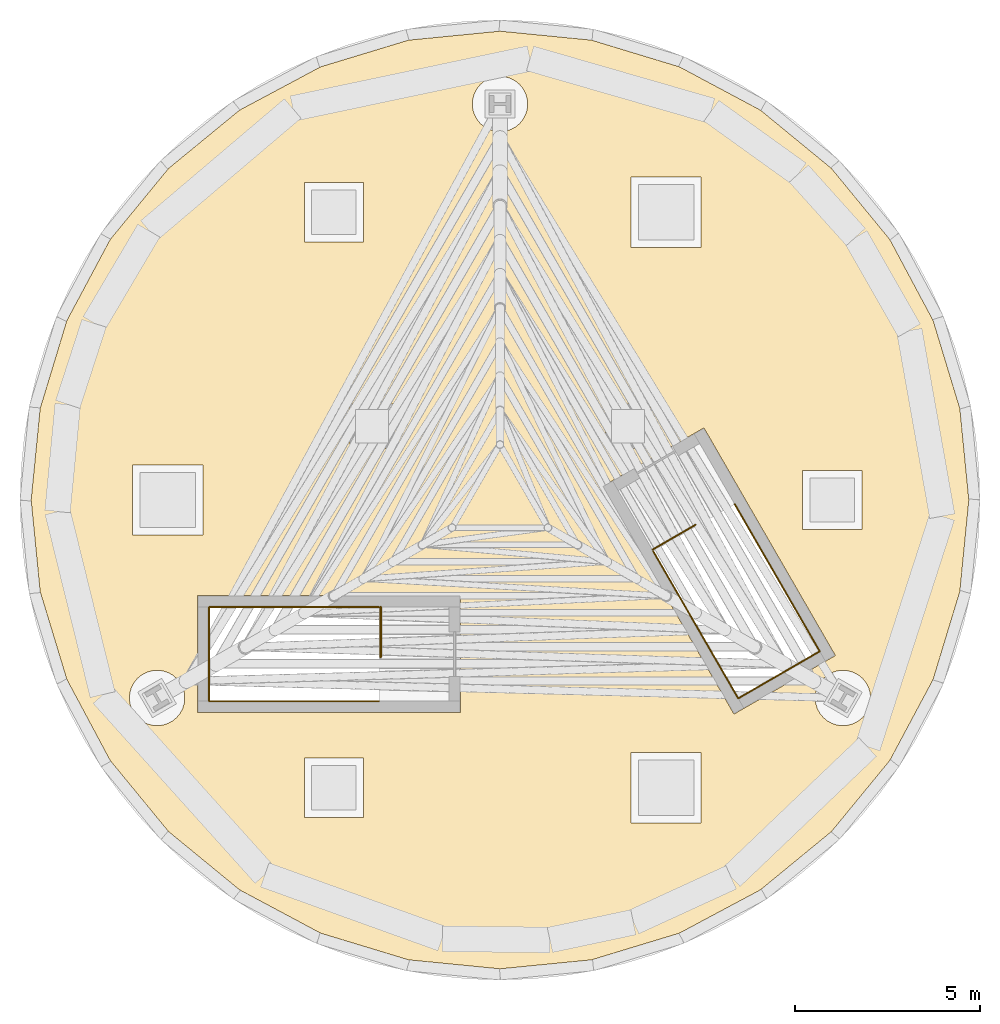
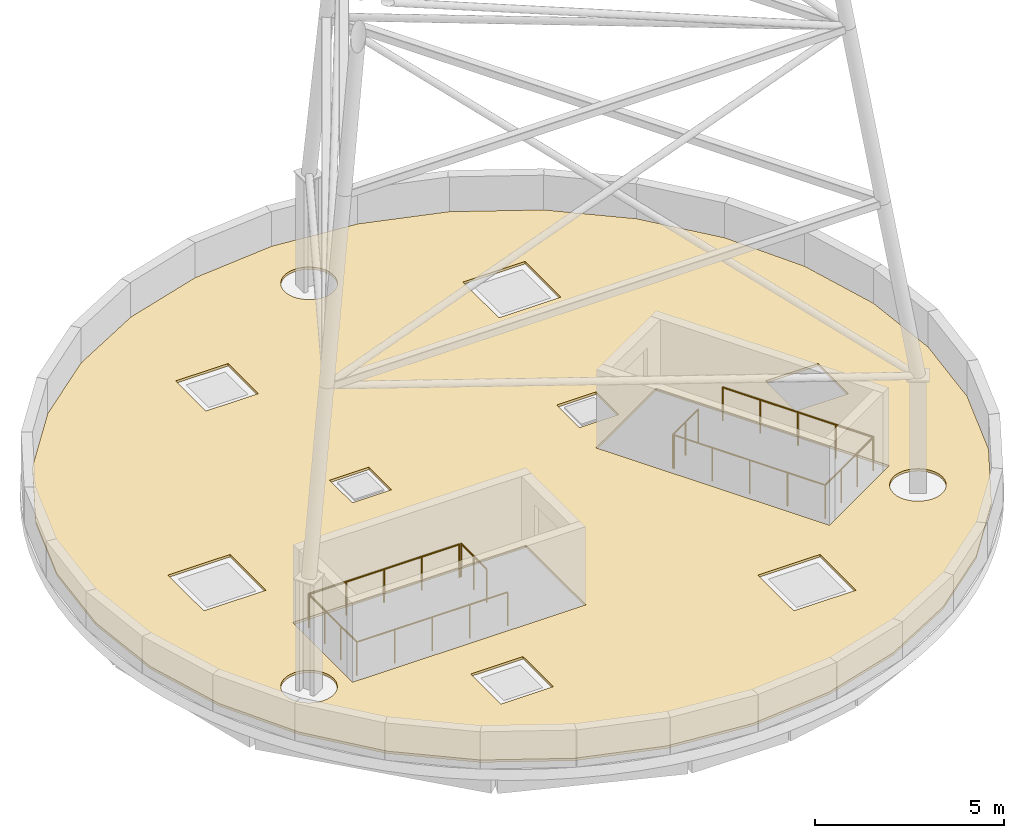
# One storey, part 4 of 4: 4 railings, 1 covering.
"""IFC4 building model written with IfcOpenShell, lengths in metres."""

from ifc_helpers import new_model, si_unit, direction, frame, origin, origin_2d, place, context, subcontext, project, spatial, polyline, circle, outline, extrude, material, layer, layer_set, type_object, element, save


model = new_model("IFC4")

# Units and contexts
model_context = context("Model", 3, precision=1e-05, world=origin(), true_north=direction((0.0, 1.0)))
body_context = subcontext(model_context, "Body", "Model", "MODEL_VIEW")
ifc_project = project(units=[si_unit("LENGTHUNIT", "METRE"), si_unit("AREAUNIT", "SQUARE_METRE"), si_unit("VOLUMEUNIT", "CUBIC_METRE"), si_unit("PLANEANGLEUNIT", "RADIAN"), si_unit("MASSUNIT", "GRAM", prefix="KILO")], contexts=[model_context])

# Site, building, storey
site_placement = place(None, origin())
site = spatial("IfcSite", under=ifc_project, at=site_placement, CompositionType="ELEMENT")
building_placement = place(site_placement, origin())
building = spatial("IfcBuilding", under=site, at=building_placement, Name="Tramontana Tower", CompositionType="ELEMENT")
storey_placement = place(building_placement, frame((0.0, 0.0, 392.89990234375)))
storey = spatial("IfcBuildingStorey", under=building, at=storey_placement, Name="RF", CompositionType="ELEMENT", Elevation=392.89990234375)

# Covering
ifc_material_1 = material(Name="Single-ply roof membrane")
ifc_layer = layer(ifc_material_1, 0.080078125)
ifc_layer_set = layer_set([ifc_layer], Name="RC1 Roof covering 80")
covering_type = type_object("IfcCoveringType", Name="RC1 Roof covering 80", PredefinedType="ROOFING", material=ifc_layer_set)
covering_placement = place(storey_placement, origin())
element("IfcCovering", 1, at=covering_placement, inside=storey, type_object=covering_type, Name="Roof covering", PredefinedType="ROOFING", context=body_context, shape_type="SweptSolid", body=[
    extrude(outline(polyline([(12.455322265625, -2.4775390625), (11.732666015625, -4.85986328125), (10.55908203125, -7.055419921875), (8.979736328125, -8.979736328125), (7.055419921875, -10.55908203125), (4.85986328125, -11.732666015625), (2.4775390625, -12.455322265625), (0.0, -12.69921875), (-2.4775390625, -12.455322265625), (-4.85986328125, -11.732666015625), (-7.055419921875, -10.55908203125), (-8.979736328125, -8.979736328125), (-10.55908203125, -7.055419921875), (-11.732666015625, -4.85986328125), (-12.455322265625, -2.4775390625), (-12.69921875, 0.0), (-12.455322265625, 2.4775390625), (-11.732666015625, 4.85986328125), (-10.55908203125, 7.055419921875), (-8.979736328125, 8.979736328125), (-7.055419921875, 10.55908203125), (-4.85986328125, 11.732666015625), (-2.4775390625, 12.455322265625), (0.0, 12.69921875), (2.4775390625, 12.455322265625), (4.85986328125, 11.732666015625), (7.055419921875, 10.55908203125), (8.979736328125, 8.979736328125), (10.55908203125, 7.055419921875), (11.732666015625, 4.85986328125), (12.455322265625, 2.4775390625), (12.69921875, 0.0), (12.455322265625, -2.4775390625)]), holes=[polyline([(-3.699951171875, -6.994140625), (-5.300048828125, -6.994140625), (-5.300048828125, -8.59423828125), (-3.699951171875, -8.59423828125), (-3.699951171875, -6.994140625)]), polyline([(-8.66455078125, -5.779296875), (-8.59521484375, -5.6494140625), (-8.552490234375, -5.5087890625), (-8.5380859375, -5.362548828125), (-8.552490234375, -5.216064453125), (-8.59521484375, -5.075439453125), (-8.66455078125, -4.94580078125), (-8.7578125, -4.832275390625), (-8.871337890625, -4.739013671875), (-9.0009765625, -4.669677734375), (-9.141845703125, -4.626953125), (-9.2880859375, -4.612548828125), (-9.434326171875, -4.626953125), (-9.5751953125, -4.669677734375), (-9.704833984375, -4.739013671875), (-9.818359375, -4.832275390625), (-9.91162109375, -4.94580078125), (-9.98095703125, -5.075439453125), (-10.023681640625, -5.216064453125), (-10.0380859375, -5.362548828125), (-10.023681640625, -5.5087890625), (-9.98095703125, -5.6494140625), (-9.91162109375, -5.779296875), (-9.818359375, -5.892822265625), (-9.704833984375, -5.986083984375), (-9.5751953125, -6.055419921875), (-9.434326171875, -6.09814453125), (-9.2880859375, -6.112548828125), (-9.141845703125, -6.09814453125), (-9.0009765625, -6.055419921875), (-8.871337890625, -5.986083984375), (-8.7578125, -5.892822265625), (-8.66455078125, -5.779296875)]), polyline([(-8.189697265625, -2.59814453125), (-8.18994140625, -2.59912109375), (-8.18994140625, -2.60009765625), (-8.18994140625, -5.75), (-8.18994140625, -5.7509765625), (-8.189697265625, -5.751953125), (-8.189453125, -5.7529296875), (-8.189208984375, -5.75390625), (-8.188720703125, -5.754638671875), (-8.188232421875, -5.755615234375), (-8.187744140625, -5.75634765625), (-8.18701171875, -5.757080078125), (-8.186279296875, -5.7578125), (-8.185546875, -5.75830078125), (-8.184814453125, -5.7587890625), (-8.183837890625, -5.75927734375), (-8.182861328125, -5.759521484375), (-8.181884765625, -5.759765625), (-8.180908203125, -5.760009765625), (-8.179931640625, -5.760009765625), (-1.080078125, -5.760009765625), (-1.0791015625, -5.760009765625), (-1.078125, -5.759765625), (-1.0771484375, -5.759521484375), (-1.076171875, -5.75927734375), (-1.0751953125, -5.7587890625), (-1.074462890625, -5.75830078125), (-1.07373046875, -5.7578125), (-1.072998046875, -5.757080078125), (-1.072265625, -5.75634765625), (-1.07177734375, -5.755615234375), (-1.0712890625, -5.754638671875), (-1.07080078125, -5.75390625), (-1.0703125, -5.7529296875), (-1.0703125, -5.751953125), (-1.070068359375, -5.7509765625), (-1.070068359375, -5.75), (-1.070068359375, -2.60009765625), (-1.070068359375, -2.59912109375), (-1.0703125, -2.59814453125), (-1.0703125, -2.59716796875), (-1.07080078125, -2.59619140625), (-1.0712890625, -2.59521484375), (-1.07177734375, -2.594482421875), (-1.072265625, -2.59375), (-1.072998046875, -2.593017578125), (-1.07373046875, -2.59228515625), (-1.074462890625, -2.591796875), (-1.0751953125, -2.591064453125), (-1.076171875, -2.5908203125), (-1.0771484375, -2.59033203125), (-1.078125, -2.590087890625), (-1.0791015625, -2.590087890625), (-1.080078125, -2.590087890625), (-8.179931640625, -2.590087890625), (-8.180908203125, -2.590087890625), (-8.181884765625, -2.590087890625), (-8.182861328125, -2.59033203125), (-8.183837890625, -2.5908203125), (-8.184814453125, -2.591064453125), (-8.185546875, -2.591796875), (-8.186279296875, -2.59228515625), (-8.18701171875, -2.593017578125), (-8.187744140625, -2.59375), (-8.188232421875, -2.594482421875), (-8.188720703125, -2.59521484375), (-8.189208984375, -2.59619140625), (-8.189453125, -2.59716796875), (-8.189697265625, -2.59814453125)]), polyline([(-8.050048828125, 0.949951171875), (-9.949951171875, 0.949951171875), (-9.949951171875, -0.949951171875), (-8.050048828125, -0.949951171875), (-8.050048828125, 0.949951171875)]), polyline([(-2.864013671875, 1.39990234375), (-2.864013671875, 2.60009765625), (-4.064208984375, 2.60009765625), (-4.064208984375, 1.39990234375), (-2.864013671875, 1.39990234375)]), polyline([(-3.699951171875, 6.994140625), (-3.699951171875, 8.59423828125), (-5.300048828125, 8.59423828125), (-5.300048828125, 6.994140625), (-3.699951171875, 6.994140625)]), polyline([(0.69287109375, 10.43798828125), (0.735595703125, 10.57861328125), (0.75, 10.72509765625), (0.735595703125, 10.871337890625), (0.69287109375, 11.011962890625), (0.62353515625, 11.1416015625), (0.5302734375, 11.25537109375), (0.416748046875, 11.3486328125), (0.287109375, 11.41796875), (0.146240234375, 11.460693359375), (0.0, 11.47509765625), (-0.146240234375, 11.460693359375), (-0.287109375, 11.41796875), (-0.416748046875, 11.3486328125), (-0.5302734375, 11.25537109375), (-0.62353515625, 11.1416015625), (-0.69287109375, 11.011962890625), (-0.735595703125, 10.871337890625), (-0.75, 10.72509765625), (-0.735595703125, 10.57861328125), (-0.69287109375, 10.43798828125), (-0.62353515625, 10.308349609375), (-0.5302734375, 10.194580078125), (-0.416748046875, 10.101318359375), (-0.287109375, 10.031982421875), (-0.146240234375, 9.989501953125), (0.0, 9.97509765625), (0.146240234375, 9.989501953125), (0.287109375, 10.031982421875), (0.416748046875, 10.101318359375), (0.5302734375, 10.194580078125), (0.62353515625, 10.308349609375), (0.69287109375, 10.43798828125)]), polyline([(5.449951171875, -8.744140625), (5.449951171875, -6.84423828125), (3.550048828125, -6.84423828125), (3.550048828125, -8.744140625), (5.449951171875, -8.744140625)]), polyline([(9.91162109375, -5.779296875), (9.98095703125, -5.6494140625), (10.023681640625, -5.5087890625), (10.0380859375, -5.362548828125), (10.023681640625, -5.216064453125), (9.98095703125, -5.075439453125), (9.91162109375, -4.94580078125), (9.818359375, -4.832275390625), (9.704833984375, -4.739013671875), (9.5751953125, -4.669677734375), (9.434326171875, -4.626953125), (9.2880859375, -4.612548828125), (9.141845703125, -4.626953125), (9.0009765625, -4.669677734375), (8.871337890625, -4.739013671875), (8.7578125, -4.832275390625), (8.66455078125, -4.94580078125), (8.59521484375, -5.075439453125), (8.552490234375, -5.216064453125), (8.5380859375, -5.362548828125), (8.552490234375, -5.5087890625), (8.59521484375, -5.6494140625), (8.66455078125, -5.779296875), (8.7578125, -5.892822265625), (8.871337890625, -5.986083984375), (9.0009765625, -6.055419921875), (9.141845703125, -6.09814453125), (9.2880859375, -6.112548828125), (9.434326171875, -6.09814453125), (9.5751953125, -6.055419921875), (9.704833984375, -5.986083984375), (9.818359375, -5.892822265625), (9.91162109375, -5.779296875)]), polyline([(6.344970703125, -5.79345703125), (6.345703125, -5.793212890625), (6.3466796875, -5.792724609375), (9.07470703125, -4.2177734375), (9.075439453125, -4.21728515625), (9.076171875, -4.216552734375), (9.076904296875, -4.2158203125), (9.07763671875, -4.215087890625), (9.078125, -4.21435546875), (9.07861328125, -4.213623046875), (9.0791015625, -4.212646484375), (9.079345703125, -4.211669921875), (9.07958984375, -4.210693359375), (9.07958984375, -4.209716796875), (9.07958984375, -4.208740234375), (9.07958984375, -4.207763671875), (9.079345703125, -4.206787109375), (9.0791015625, -4.205810546875), (9.078857421875, -4.205078125), (9.078369140625, -4.2041015625), (5.5283203125, 1.944580078125), (5.52783203125, 1.945556640625), (5.527099609375, 1.9462890625), (5.5263671875, 1.947021484375), (5.525634765625, 1.947509765625), (5.52490234375, 1.9482421875), (5.524169921875, 1.94873046875), (5.523193359375, 1.948974609375), (5.522216796875, 1.949462890625), (5.521240234375, 1.949462890625), (5.520263671875, 1.94970703125), (5.519287109375, 1.94970703125), (5.518310546875, 1.94970703125), (5.517333984375, 1.949462890625), (5.516357421875, 1.94921875), (5.515625, 1.94873046875), (5.5146484375, 1.9482421875), (2.78662109375, 0.373291015625), (2.785888671875, 0.372802734375), (2.78515625, 0.372314453125), (2.784423828125, 0.37158203125), (2.78369140625, 0.370849609375), (2.783203125, 0.369873046875), (2.78271484375, 0.369140625), (2.7822265625, 0.3681640625), (2.781982421875, 0.3671875), (2.78173828125, 0.3662109375), (2.78173828125, 0.365234375), (2.78173828125, 0.3642578125), (2.78173828125, 0.36328125), (2.781982421875, 0.3623046875), (2.7822265625, 0.361572265625), (2.782470703125, 0.360595703125), (2.782958984375, 0.359619140625), (6.3330078125, -5.7890625), (6.33349609375, -5.789794921875), (6.334228515625, -5.790771484375), (6.334716796875, -5.79150390625), (6.335693359375, -5.7919921875), (6.33642578125, -5.79248046875), (6.337158203125, -5.79296875), (6.338134765625, -5.79345703125), (6.339111328125, -5.793701171875), (6.340087890625, -5.7939453125), (6.341064453125, -5.7939453125), (6.342041015625, -5.794189453125), (6.343017578125, -5.7939453125), (6.343994140625, -5.7939453125), (6.344970703125, -5.79345703125)]), polyline([(9.800048828125, -0.800048828125), (9.800048828125, 0.800048828125), (8.199951171875, 0.800048828125), (8.199951171875, -0.800048828125), (9.800048828125, -0.800048828125)]), polyline([(4.064208984375, 1.39990234375), (4.064208984375, 2.60009765625), (2.864013671875, 2.60009765625), (2.864013671875, 1.39990234375), (4.064208984375, 1.39990234375)]), polyline([(5.449951171875, 6.84423828125), (5.449951171875, 8.744140625), (3.550048828125, 8.744140625), (3.550048828125, 6.84423828125), (5.449951171875, 6.84423828125)])]), origin(), (0.0, 0.0, 1.0), 0.080078125),
])

# Railings
ifc_material_2 = material(Name="Painted steel", Category="steel")
railing_type = type_object("IfcRailingType", Name="STAIR GUARD 1100", PredefinedType="GUARDRAIL", material=ifc_material_2)
railing_1_placement = place(storey_placement, frame((-3.22998046875, -2.89990234375, 0.0)))
element("IfcRailing", 2, at=railing_1_placement, inside=storey, type_object=railing_type, Name="RF ST2 top well guard 1", PredefinedType="GUARDRAIL", context=body_context, shape_type="SweptSolid", body=[
    extrude(circle(Radius=0.02392578125, at=origin_2d()), frame((0.0, 0.0, 1.076171875), z_axis=(0.0, -1.0, 0.0), x_axis=(1.0, 0.0, 0.0)), (0.0, 0.0, 1.0), 1.35009765625),
    extrude(circle(Radius=0.02099609375, at=origin_2d()), origin(), (0.0, 0.0, 1.0), 1.052001953125),
    extrude(circle(Radius=0.02099609375, at=origin_2d()), frame((0.0, -0.675048828125, 0.0)), (0.0, 0.0, 1.0), 1.052001953125),
    extrude(circle(Radius=0.02099609375, at=origin_2d()), frame((0.0, -1.35009765625, 0.0)), (0.0, 0.0, 1.0), 1.052001953125),
])
railing_2_placement = place(storey_placement, frame((-3.280029296875, -5.449951171875, 0.0)))
element("IfcRailing", 3, at=railing_2_placement, inside=storey, type_object=railing_type, Name="RF ST2 top well guard 2", PredefinedType="GUARDRAIL", context=body_context, shape_type="SweptSolid", body=[
    extrude(circle(Radius=0.02392578125, at=origin_2d()), frame((0.0, 0.0, 1.076171875), z_axis=(-1.0, 0.0, 0.0), x_axis=(0.0, -1.0, 0.0)), (0.0, 0.0, 1.0), 4.599853515625),
    extrude(circle(Radius=0.02392578125, at=origin_2d()), frame((-4.599853515625, 0.0, 1.076171875), z_axis=(0.0, 1.0, 0.0), x_axis=(-1.0, 0.0, 0.0)), (0.0, 0.0, 1.0), 2.550048828125),
    extrude(circle(Radius=0.02392578125, at=origin_2d()), frame((-4.599853515625, 2.550048828125, 1.076171875), z_axis=(1.0, 0.0, 0.0), x_axis=(0.0, 1.0, 0.0)), (0.0, 0.0, 1.0), 4.599853515625),
    extrude(circle(Radius=0.02099609375, at=origin_2d()), origin(), (0.0, 0.0, 1.0), 1.052001953125),
    extrude(circle(Radius=0.02099609375, at=origin_2d()), frame((-1.14990234375, 0.0, 0.0)), (0.0, 0.0, 1.0), 1.052001953125),
    extrude(circle(Radius=0.02099609375, at=origin_2d()), frame((-2.2998046875, 0.0, 0.0)), (0.0, 0.0, 1.0), 1.052001953125),
    extrude(circle(Radius=0.02099609375, at=origin_2d()), frame((-3.449951171875, 0.0, 0.0)), (0.0, 0.0, 1.0), 1.052001953125),
    extrude(circle(Radius=0.02099609375, at=origin_2d()), frame((-4.599853515625, 0.0, 0.0)), (0.0, 0.0, 1.0), 1.052001953125),
    extrude(circle(Radius=0.02099609375, at=origin_2d()), frame((-4.599853515625, 0.85009765625, 0.0)), (0.0, 0.0, 1.0), 1.052001953125),
    extrude(circle(Radius=0.02099609375, at=origin_2d()), frame((-4.599853515625, 1.699951171875, 0.0)), (0.0, 0.0, 1.0), 1.052001953125),
    extrude(circle(Radius=0.02099609375, at=origin_2d()), frame((-4.599853515625, 2.550048828125, 0.0)), (0.0, 0.0, 1.0), 1.052001953125),
    extrude(circle(Radius=0.02099609375, at=origin_2d()), frame((-3.449951171875, 2.550048828125, 0.0)), (0.0, 0.0, 1.0), 1.052001953125),
    extrude(circle(Radius=0.02099609375, at=origin_2d()), frame((-2.2998046875, 2.550048828125, 0.0)), (0.0, 0.0, 1.0), 1.052001953125),
    extrude(circle(Radius=0.02099609375, at=origin_2d()), frame((-1.14990234375, 2.550048828125, 0.0)), (0.0, 0.0, 1.0), 1.052001953125),
    extrude(circle(Radius=0.02099609375, at=origin_2d()), frame((0.0, 2.550048828125, 0.0)), (0.0, 0.0, 1.0), 1.052001953125),
])
railing_3_placement = place(storey_placement, frame((4.12646484375, -1.34716796875, 0.0)))
element("IfcRailing", 4, at=railing_3_placement, inside=storey, type_object=railing_type, Name="RF ST3 top well guard 1", PredefinedType="GUARDRAIL", context=body_context, shape_type="SweptSolid", body=[
    extrude(circle(Radius=0.02392578125, at=origin_2d()), frame((0.0, 0.0, 1.076171875), z_axis=(0.866098258242, 0.499873791142, 0.0), x_axis=(-0.499873791142, 0.866098258242, 0.0)), (0.0, 0.0, 1.0), 1.349853515625),
    extrude(circle(Radius=0.02099609375, at=origin_2d()), origin(), (0.0, 0.0, 1.0), 1.052001953125),
    extrude(circle(Radius=0.02099609375, at=origin_2d()), frame((0.58447265625, 0.33740234375, 0.0)), (0.0, 0.0, 1.0), 1.052001953125),
    extrude(circle(Radius=0.02099609375, at=origin_2d()), frame((1.169189453125, 0.6748046875, 0.0)), (0.0, 0.0, 1.0), 1.052001953125),
])
railing_4_placement = place(storey_placement, frame((6.35986328125, -0.115478515625, 0.0)))
element("IfcRailing", 5, at=railing_4_placement, inside=storey, type_object=railing_type, Name="RF ST3 top well guard 2", PredefinedType="GUARDRAIL", context=body_context, shape_type="SweptSolid", body=[
    extrude(circle(Radius=0.02392578125, at=origin_2d()), frame((0.0, 0.0, 1.076171875), z_axis=(0.499991971794, -0.866030038822, 0.0), x_axis=(0.866030038822, 0.499991971794, 0.0)), (0.0, 0.0, 1.0), 4.60009765625),
    extrude(circle(Radius=0.02392578125, at=origin_2d()), frame((2.300048828125, -3.98388671875, 1.076171875), z_axis=(-0.866054858364, -0.499948979701, 0.0), x_axis=(0.499948979701, -0.866054858364, 0.0)), (0.0, 0.0, 1.0), 2.550048828125),
    extrude(circle(Radius=0.02392578125, at=origin_2d()), frame((0.091552734375, -5.2587890625, 1.076171875), z_axis=(-0.500014953309, 0.866016770315, 0.0), x_axis=(-0.866016770315, -0.500014953309, 0.0)), (0.0, 0.0, 1.0), 4.599853515625),
    extrude(circle(Radius=0.02099609375, at=origin_2d()), origin(), (0.0, 0.0, 1.0), 1.052001953125),
    extrude(circle(Radius=0.02099609375, at=origin_2d()), frame((0.574951171875, -0.99609375, 0.0)), (0.0, 0.0, 1.0), 1.052001953125),
    extrude(circle(Radius=0.02099609375, at=origin_2d()), frame((1.14990234375, -1.991943359375, 0.0)), (0.0, 0.0, 1.0), 1.052001953125),
    extrude(circle(Radius=0.02099609375, at=origin_2d()), frame((1.72509765625, -2.98779296875, 0.0)), (0.0, 0.0, 1.0), 1.052001953125),
    extrude(circle(Radius=0.02099609375, at=origin_2d()), frame((2.300048828125, -3.98388671875, 0.0)), (0.0, 0.0, 1.0), 1.052001953125),
    extrude(circle(Radius=0.02099609375, at=origin_2d()), frame((1.56396484375, -4.408935546875, 0.0)), (0.0, 0.0, 1.0), 1.052001953125),
    extrude(circle(Radius=0.02099609375, at=origin_2d()), frame((0.82763671875, -4.833740234375, 0.0)), (0.0, 0.0, 1.0), 1.052001953125),
    extrude(circle(Radius=0.02099609375, at=origin_2d()), frame((0.091552734375, -5.2587890625, 0.0)), (0.0, 0.0, 1.0), 1.052001953125),
    extrude(circle(Radius=0.02099609375, at=origin_2d()), frame((-0.4833984375, -4.262939453125, 0.0)), (0.0, 0.0, 1.0), 1.052001953125),
    extrude(circle(Radius=0.02099609375, at=origin_2d()), frame((-1.05859375, -3.26708984375, 0.0)), (0.0, 0.0, 1.0), 1.052001953125),
    extrude(circle(Radius=0.02099609375, at=origin_2d()), frame((-1.633544921875, -2.27099609375, 0.0)), (0.0, 0.0, 1.0), 1.052001953125),
    extrude(circle(Radius=0.02099609375, at=origin_2d()), frame((-2.20849609375, -1.275146484375, 0.0)), (0.0, 0.0, 1.0), 1.052001953125),
])

save(model, "model.ifc")
